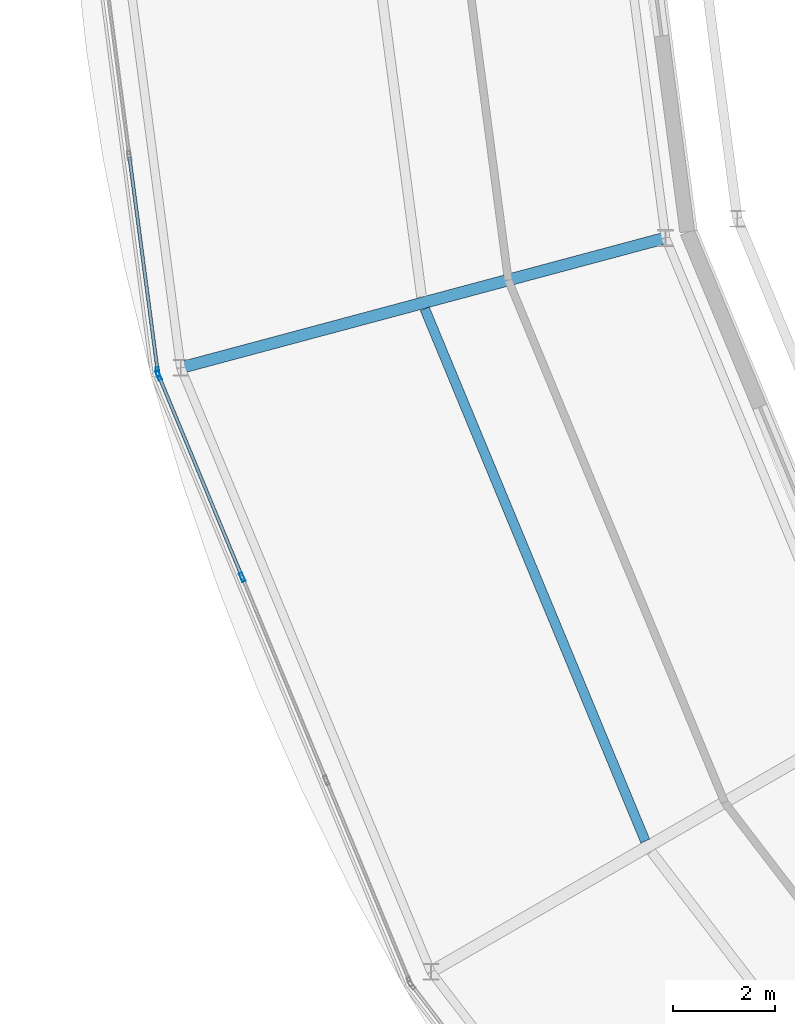
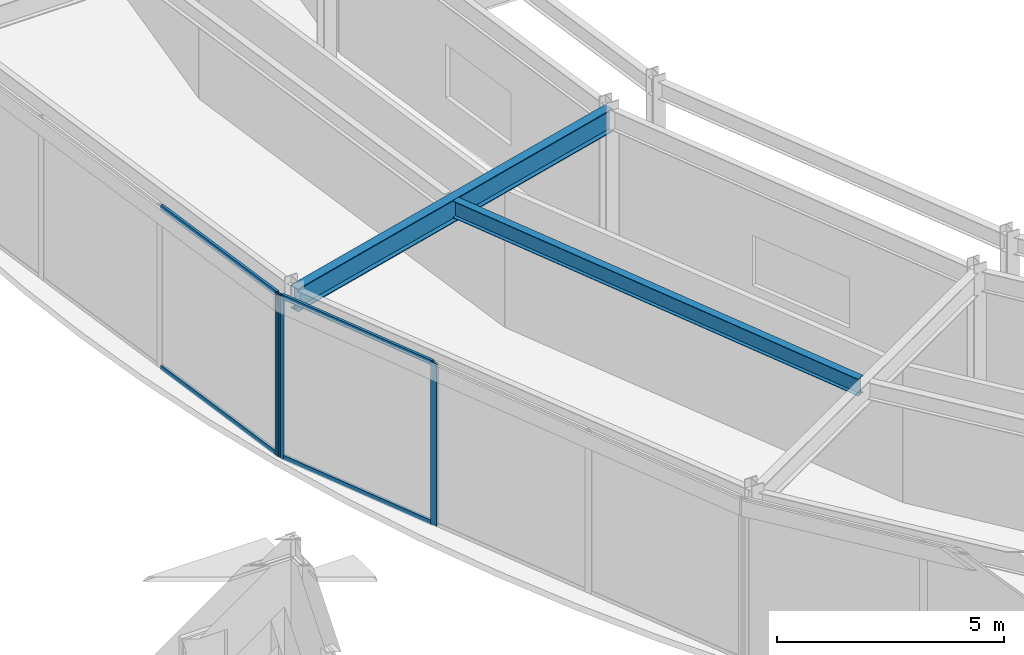
# One storey, part 28 of 133: 7 members, 2 beams, 2 elements without a shape of their own.
"""IFC4 building model written with IfcOpenShell, lengths in metres."""

from ifc_helpers import new_model, si_unit, direction, frame, origin, origin_2d, place, context, subcontext, project, spatial, hollow_rectangle, i_section, extrude, material, material_profile, profile_set, type_object, element, aggregate, save


model = new_model("IFC4")

# Units and contexts
model_context = context("Model", 3, precision=1e-05, world=origin(), true_north=direction((0.0, 1.0)))
body_context = subcontext(model_context, "Body", "Model", "MODEL_VIEW")
ifc_project = project(units=[si_unit("LENGTHUNIT", "METRE"), si_unit("AREAUNIT", "SQUARE_METRE"), si_unit("VOLUMEUNIT", "CUBIC_METRE"), si_unit("PLANEANGLEUNIT", "RADIAN"), si_unit("MASSUNIT", "GRAM", prefix="KILO")], contexts=[model_context])

# Site, building, storey
site_placement = place(None, origin())
site = spatial("IfcSite", under=ifc_project, at=site_placement, CompositionType="ELEMENT")
building_placement = place(site_placement, origin())
building = spatial("IfcBuilding", under=site, at=building_placement, Name="Almandine Court Research Institute", CompositionType="ELEMENT")
storey_placement = place(building_placement, frame((0.0, 0.0, 9.800048828125)))
storey = spatial("IfcBuildingStorey", under=building, at=storey_placement, Name="L02", CompositionType="ELEMENT", Elevation=9.800048828125)

# Beams
ifc_material_1 = material(Name="Steel ASTM A992 Grade 50", Category="steel")
ifc_material_profile_1 = material_profile(ifc_material_1, i_section(OverallWidth=0.18994140625, OverallDepth=0.45703125, WebThickness=0.009033203125, FlangeThickness=0.014892578125, at=origin_2d()), Name="W460x74")
ifc_profile_set_1 = profile_set([ifc_material_profile_1], Name="Steel ASTM A992 Grade 50")
beam_type_1 = type_object("IfcBeamType", Name="Beam-B-01", PredefinedType="BEAM", material=ifc_profile_set_1)
beam_1_placement = place(storey_placement, frame((44.530029296875, 44.49609375, 4.093994140625), z_axis=(0.382712804936, -0.923867365447, 0.0), x_axis=(0.923867365447, 0.382712804936, 0.0)))
element("IfcBeam", 1, at=beam_1_placement, inside=storey, type_object=beam_type_1, Name="L02 Drum MID Ring Beam 13", PredefinedType="BEAM", context=body_context, shape_type="SweptSolid", body=[
    extrude(i_section(OverallWidth=0.18994140625, OverallDepth=0.45703125, WebThickness=0.009033203125, FlangeThickness=0.014892578125, at=origin_2d()), origin(), (0.0, 0.0, 1.0), 11.24853515625),
])
ifc_material_profile_2 = material_profile(ifc_material_1, i_section(OverallWidth=0.22998046875, OverallDepth=0.616943359375, WebThickness=0.012939453125, FlangeThickness=0.02197265625, at=origin_2d()), Name="W610x140")
ifc_profile_set_2 = profile_set([ifc_material_profile_2], Name="Steel ASTM A992 Grade 50")
beam_type_2 = type_object("IfcBeamType", Name="Beam-G-02", PredefinedType="BEAM", material=ifc_profile_set_2)
beam_2_placement = place(storey_placement, frame((49.23193359375, 45.8798828125, 4.013916015625), z_axis=(-0.965937821551, -0.258774274024, 0.0), x_axis=(0.258774274024, -0.965937821551, 0.0)))
element("IfcBeam", 2, at=beam_2_placement, inside=storey, type_object=beam_type_2, Name="L02 Drum Radial Girder 13", PredefinedType="BEAM", context=body_context, shape_type="SweptSolid", body=[
    extrude(i_section(OverallWidth=0.22998046875, OverallDepth=0.616943359375, WebThickness=0.012939453125, FlangeThickness=0.02197265625, at=origin_2d()), origin(), (0.0, 0.0, 1.0), 9.799560546875),
])

# Curtain wall, member
ifc_material_2 = material(Name="Unitised Curtain Wall Framing and Solar Glazing", Category="glass")
curtain_wall_type = type_object("IfcCurtainWallType", Name="CW-CWJ-19", PredefinedType="USERDEFINED", material=ifc_material_2)
curtain_wall_1_placement = place(storey_placement, origin())
curtain_wall_1 = element("IfcCurtainWall", 3, at=curtain_wall_1_placement, inside=storey, type_object=curtain_wall_type, Name="L02 Stacked-Ring Drum Outer Solar Jali Screen 12", ObjectType="SOLAR JALI SCREEN", PredefinedType="USERDEFINED")
ifc_material_3 = material(Name="Anodised Aluminium AW-6063-T6", Category="aluminium")
ifc_material_profile_3 = material_profile(ifc_material_3, hollow_rectangle(XDim=0.06494140625, YDim=0.179931640625, WallThickness=0.00390625, at=origin_2d()), Name="ALU RHS 65x180x4")
ifc_profile_set_3 = profile_set([ifc_material_profile_3], Name="Anodised Aluminium AW-6063-T6")
member_type_1 = type_object("IfcMemberType", Name="CWMul-65x180", PredefinedType="MULLION", material=ifc_profile_set_3)
member_1_placement = place(storey_placement, frame((39.316650390625, 43.26123046875, 0.0), z_axis=(0.0, 0.0, 1.0), x_axis=(-0.991442926098, -0.130540891259, 0.0)))
member_1 = element("IfcMember", 4, at=member_1_placement, type_object=member_type_1, Name="CWJ-19 mullion 1", PredefinedType="MULLION", context=body_context, shape_type="SweptSolid", body=[
    extrude(hollow_rectangle(XDim=0.06494140625, YDim=0.179931640625, WallThickness=0.00390625, at=origin_2d()), origin(), (0.0, 0.0, 1.0), 4.369873046875),
])

# Curtain wall, members
curtain_wall_2_placement = place(storey_placement, origin())
curtain_wall_2 = element("IfcCurtainWall", 5, at=curtain_wall_2_placement, inside=storey, type_object=curtain_wall_type, Name="L02 Stacked-Ring Drum Outer Solar Jali Screen 13", ObjectType="SOLAR JALI SCREEN", PredefinedType="USERDEFINED")
member_2_placement = place(storey_placement, frame((40.965576171875, 39.2548828125, 0.0), z_axis=(0.0, 0.0, 1.0), x_axis=(-0.923888124321, -0.382662689242, 0.0)))
member_2 = element("IfcMember", 6, at=member_2_placement, type_object=member_type_1, Name="CWJ-19 mullion 3", PredefinedType="MULLION", context=body_context, shape_type="SweptSolid", body=[
    extrude(hollow_rectangle(XDim=0.06494140625, YDim=0.179931640625, WallThickness=0.00390625, at=origin_2d()), origin(), (0.0, 0.0, 1.0), 4.369873046875),
])
member_3_placement = place(storey_placement, frame((39.33544921875, 43.19091796875, 0.0), z_axis=(0.0, 0.0, 1.0), x_axis=(-0.923888124321, -0.382662689242, 0.0)))
member_3 = element("IfcMember", 7, at=member_3_placement, type_object=member_type_1, Name="CWJ-19 mullion 4", PredefinedType="MULLION", context=body_context, shape_type="SweptSolid", body=[
    extrude(hollow_rectangle(XDim=0.06494140625, YDim=0.179931640625, WallThickness=0.00390625, at=origin_2d()), origin(), (0.0, 0.0, 1.0), 4.369873046875),
])

# Member
ifc_material_profile_4 = material_profile(ifc_material_3, hollow_rectangle(XDim=0.06494140625, YDim=0.1298828125, WallThickness=0.00390625, at=origin_2d()), Name="ALU RHS 65x130x4")
ifc_profile_set_4 = profile_set([ifc_material_profile_4], Name="Anodised Aluminium AW-6063-T6")
member_type_2 = type_object("IfcMemberType", Name="CWTrn-65x130", PredefinedType="NOTDEFINED", material=ifc_profile_set_4)
member_4_placement = place(storey_placement, frame((39.3125, 43.29345703125, 0.032470703125), z_axis=(-0.130543337873, 0.991442603955, 0.0), x_axis=(-0.991442603955, -0.130543337873, 0.0)))
member_4 = element("IfcMember", 8, at=member_4_placement, type_object=member_type_2, Name="CWJ-19 transom 1.1", ObjectType="TRANSOM", PredefinedType="USERDEFINED", context=body_context, shape_type="SweptSolid", body=[
    extrude(hollow_rectangle(XDim=0.06494140625, YDim=0.1298828125, WallThickness=0.00390625, at=origin_2d()), origin(), (0.0, 0.0, 1.0), 4.19482421875),
])

member_5_placement = place(storey_placement, frame((39.3125, 43.29345703125, 4.33740234375), z_axis=(-0.130543337873, 0.991442603955, 0.0), x_axis=(-0.991442603955, -0.130543337873, 0.0)))
member_5 = element("IfcMember", 9, at=member_5_placement, type_object=member_type_2, Name="CWJ-19 transom 1.2", ObjectType="TRANSOM", PredefinedType="USERDEFINED", context=body_context, shape_type="SweptSolid", body=[
    extrude(hollow_rectangle(XDim=0.06494140625, YDim=0.1298828125, WallThickness=0.00390625, at=origin_2d()), origin(), (0.0, 0.0, 1.0), 4.19482421875),
])

aggregate(curtain_wall_1, [member_1, member_4, member_5])

member_6_placement = place(storey_placement, frame((40.953125, 39.284912109375, 0.032470703125), z_axis=(-0.382631051398, 0.923901227679, 0.0), x_axis=(-0.923901227679, -0.382631051398, 0.0)))
member_6 = element("IfcMember", 10, at=member_6_placement, type_object=member_type_2, Name="CWJ-19 transom 3.1", ObjectType="TRANSOM", PredefinedType="USERDEFINED", context=body_context, shape_type="SweptSolid", body=[
    extrude(hollow_rectangle(XDim=0.06494140625, YDim=0.1298828125, WallThickness=0.00390625, at=origin_2d()), origin(), (0.0, 0.0, 1.0), 4.1953125),
])

member_7_placement = place(storey_placement, frame((40.953125, 39.284912109375, 4.33740234375), z_axis=(-0.382631051398, 0.923901227679, 0.0), x_axis=(-0.923901227679, -0.382631051398, 0.0)))
member_7 = element("IfcMember", 11, at=member_7_placement, type_object=member_type_2, Name="CWJ-19 transom 3.2", ObjectType="TRANSOM", PredefinedType="USERDEFINED", context=body_context, shape_type="SweptSolid", body=[
    extrude(hollow_rectangle(XDim=0.06494140625, YDim=0.1298828125, WallThickness=0.00390625, at=origin_2d()), origin(), (0.0, 0.0, 1.0), 4.1953125),
])

aggregate(curtain_wall_2, [member_2, member_3, member_6, member_7])

save(model, "model.ifc")
